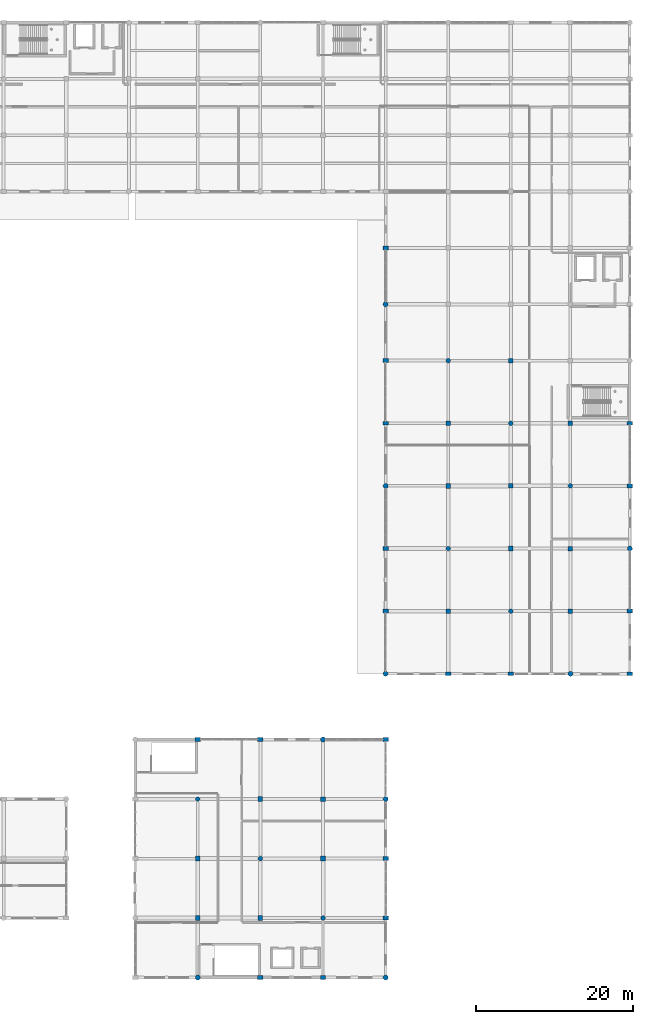
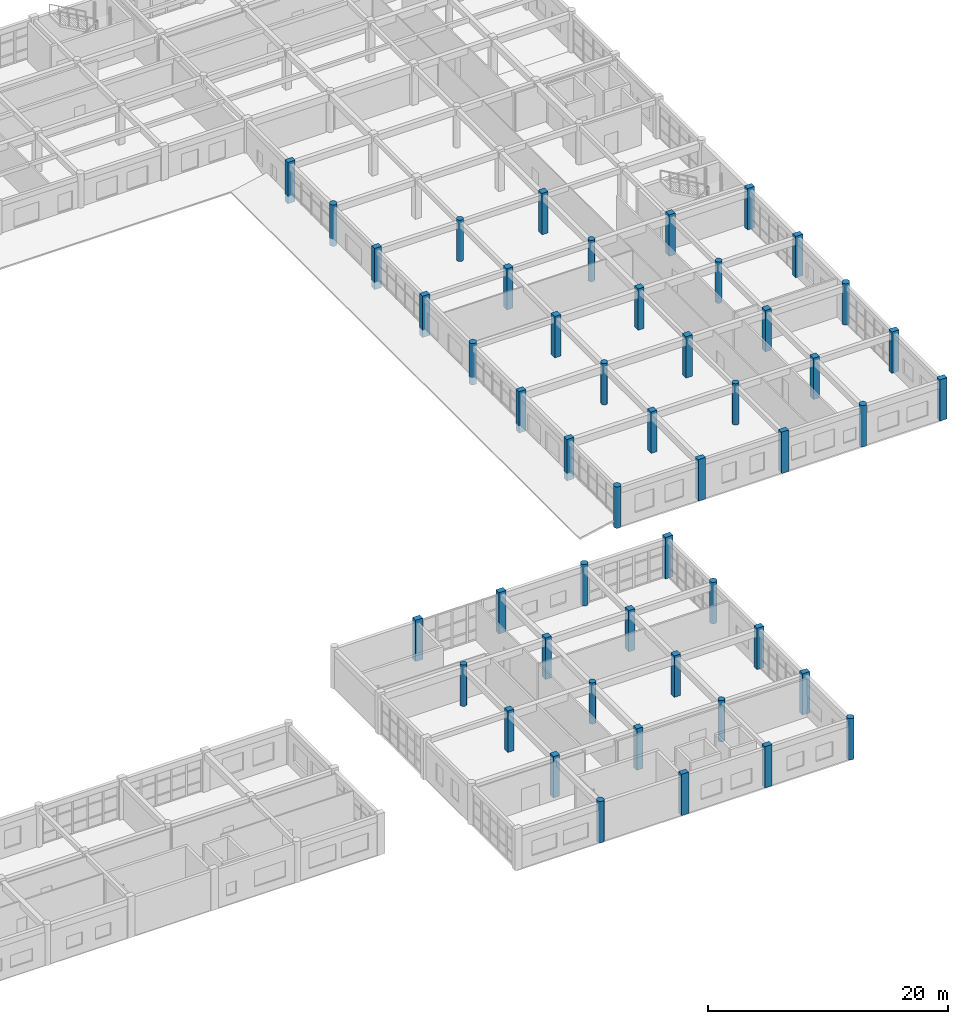
# One storey, part 5 of 121: 50 columns.
"""IFC4 building model written with IfcOpenShell, lengths in metres."""

from ifc_helpers import new_model, si_unit, direction, frame, origin, origin_2d, place, context, subcontext, project, spatial, rectangle, circle, extrude, material, material_profile, profile_set, type_object, element, save


model = new_model("IFC4")

# Units and contexts
model_context = context("Model", 3, precision=1e-05, world=origin(), true_north=direction((0.0, 1.0)))
body_context = subcontext(model_context, "Body", "Model", "MODEL_VIEW")
ifc_project = project(units=[si_unit("LENGTHUNIT", "METRE"), si_unit("AREAUNIT", "SQUARE_METRE"), si_unit("VOLUMEUNIT", "CUBIC_METRE"), si_unit("PLANEANGLEUNIT", "RADIAN"), si_unit("MASSUNIT", "GRAM", prefix="KILO")], contexts=[model_context])

# Site, building, storey
site_placement = place(None, origin())
site = spatial("IfcSite", under=ifc_project, at=site_placement, CompositionType="ELEMENT")
building_placement = place(site_placement, origin())
building = spatial("IfcBuilding", under=site, at=building_placement, Name="Kharva Crest Polytechnic", CompositionType="ELEMENT")
storey_placement = place(building_placement, frame((0.0, 0.0, 13.199951171875)))
storey = spatial("IfcBuildingStorey", under=building, at=storey_placement, Name="L03", CompositionType="ELEMENT", Elevation=13.199951171875)

# Columns
ifc_material = material(Name="Concrete C40/50", Category="concrete")
ifc_material_profile_1 = material_profile(ifc_material, rectangle(XDim=0.679931640625, YDim=0.5, at=origin_2d()), Name="RECT 680 X 500")
ifc_profile_set_1 = profile_set([ifc_material_profile_1], Name="Concrete C40/50")
column_type_1 = type_object("IfcColumnType", Name="COL-EXT-680X500", PredefinedType="COLUMN", material=ifc_profile_set_1)
for number, where, z_axis, x_axis, name in (
    (1, (136.800048828125, 30.39990234375, 0.0), (0.0, 0.0, 1.0), (1.0, 0.0, 0.0), "L03 Column 18/E"),
    (2, (144.800048828125, 0.0, 0.0), (0.0, 0.0, 1.0), (1.0, 0.0, 0.0), "L03 Column 19/A"),
    (3, (152.800048828125, 15.199951171875, 0.0), (0.0, 0.0, 1.0), (1.0, 0.0, 0.0), "L03 Column 20/C"),
    (4, (152.800048828125, 54.800048828125, 0.0), (0.0, 0.0, 1.0), (1.0, 0.0, 0.0), "L03 Column 20/H"),
    (5, (152.800048828125, 78.800048828125, 0.0), (0.0, 0.0, 1.0), (1.0, 0.0, 0.0), "L03 Column 20/L"),
    (6, (168.800048828125, 38.800048828125, 0.0), (0.0, 0.0, 1.0), (1.0, 0.0, 0.0), "L03 Column 22/FJ"),
    (7, (184.0, 46.800048828125, 0.0), (0.0, 0.0, 1.0), (1.0, 0.0, 0.0), "L03 Column 24/G"),
    (8, (184.0, 70.800048828125, 0.0), (0.0, 0.0, 1.0), (1.0, 0.0, 0.0), "L03 Column 24/K"),
):
    element("IfcColumn", number, at=place(storey_placement, frame(where, z_axis=z_axis, x_axis=x_axis)), inside=storey, type_object=column_type_1, Name=name, PredefinedType="COLUMN", context=body_context, shape_type="SweptSolid", body=[
        extrude(rectangle(XDim=0.679931640625, YDim=0.5, at=origin_2d()), origin(), (0.0, 0.0, 1.0), 4.199951171875),
    ])
ifc_material_profile_2 = material_profile(ifc_material, rectangle(XDim=0.699951171875, YDim=0.5, at=origin_2d()), Name="RECT 700 X 500")
ifc_profile_set_2 = profile_set([ifc_material_profile_2], Name="Concrete C40/50")
column_type_2 = type_object("IfcColumnType", Name="COL-EXT-700X500", PredefinedType="COLUMN", material=ifc_profile_set_2)
for number, where, z_axis, x_axis, name in (
    (9, (128.800048828125, 30.39990234375, 0.0), (0.0, 0.0, 1.0), (1.0, 0.0, 0.0), "L03 Column 17/E"),
    (10, (136.800048828125, 0.0, 0.0), (0.0, 0.0, 1.0), (1.0, 0.0, 0.0), "L03 Column 18/A"),
    (11, (152.800048828125, 7.60009765625, 0.0), (0.0, 0.0, 1.0), (1.0, 0.0, 0.0), "L03 Column 20/B"),
    (12, (152.800048828125, 30.39990234375, 0.0), (0.0, 0.0, 1.0), (1.0, 0.0, 0.0), "L03 Column 20/E"),
    (13, (152.800048828125, 46.800048828125, 0.0), (0.0, 0.0, 1.0), (1.0, 0.0, 0.0), "L03 Column 20/G"),
    (14, (152.800048828125, 70.800048828125, 0.0), (0.0, 0.0, 1.0), (1.0, 0.0, 0.0), "L03 Column 20/K"),
    (15, (152.800048828125, 93.199951171875, 0.0), (0.0, 0.0, 1.0), (1.0, 0.0, 0.0), "L03 Column 20/N"),
    (16, (160.800048828125, 38.800048828125, 0.0), (0.0, 0.0, 1.0), (1.0, 0.0, 0.0), "L03 Column 21/FJ"),
    (17, (184.0, 38.800048828125, 0.0), (0.0, 0.0, 1.0), (1.0, 0.0, 0.0), "L03 Column 24/FJ"),
    (18, (184.0, 62.800048828125, 0.0), (0.0, 0.0, 1.0), (1.0, 0.0, 0.0), "L03 Column 24/J"),
):
    element("IfcColumn", number, at=place(storey_placement, frame(where, z_axis=z_axis, x_axis=x_axis)), inside=storey, type_object=column_type_2, Name=name, PredefinedType="COLUMN", context=body_context, shape_type="SweptSolid", body=[
        extrude(rectangle(XDim=0.699951171875, YDim=0.5, at=origin_2d()), origin(), (0.0, 0.0, 1.0), 4.199951171875),
    ])
ifc_material_profile_3 = material_profile(ifc_material, circle(Radius=0.320068359375, at=origin_2d()), Name="DIA 640")
ifc_profile_set_3 = profile_set([ifc_material_profile_3], Name="Concrete C40/50")
column_type_3 = type_object("IfcColumnType", Name="COL-EXT-DIA640", PredefinedType="COLUMN", material=ifc_profile_set_3)
for number, where, z_axis, x_axis, name in (
    (19, (128.800048828125, 0.0, 0.0), (0.0, 0.0, 1.0), (1.0, 0.0, 0.0), "L03 Column 17/A"),
    (20, (144.800048828125, 30.39990234375, 0.0), (0.0, 0.0, 1.0), (1.0, 0.0, 0.0), "L03 Column 19/E"),
    (21, (152.800048828125, 0.0, 0.0), (0.0, 0.0, 1.0), (1.0, 0.0, 0.0), "L03 Column 20/A"),
    (22, (152.800048828125, 22.800048828125, 0.0), (0.0, 0.0, 1.0), (1.0, 0.0, 0.0), "L03 Column 20/D"),
    (23, (152.800048828125, 38.800048828125, 0.0), (0.0, 0.0, 1.0), (1.0, 0.0, 0.0), "L03 Column 20/FJ"),
    (24, (152.800048828125, 62.800048828125, 0.0), (0.0, 0.0, 1.0), (1.0, 0.0, 0.0), "L03 Column 20/J"),
    (25, (152.800048828125, 86.0, 0.0), (0.0, 0.0, 1.0), (1.0, 0.0, 0.0), "L03 Column 20/M"),
    (26, (176.39990234375, 38.800048828125, 0.0), (0.0, 0.0, 1.0), (1.0, 0.0, 0.0), "L03 Column 23/FJ"),
    (27, (184.0, 54.800048828125, 0.0), (0.0, 0.0, 1.0), (1.0, 0.0, 0.0), "L03 Column 24/H"),
):
    element("IfcColumn", number, at=place(storey_placement, frame(where, z_axis=z_axis, x_axis=x_axis)), inside=storey, type_object=column_type_3, Name=name, PredefinedType="COLUMN", context=body_context, shape_type="SweptSolid", body=[
        extrude(circle(Radius=0.320068359375, at=origin_2d()), origin(), (0.0, 0.0, 1.0), 4.199951171875),
    ])
ifc_material_profile_4 = material_profile(ifc_material, rectangle(XDim=0.580078125, YDim=0.580078125, at=origin_2d()), Name="RECT 580 X 580")
ifc_profile_set_4 = profile_set([ifc_material_profile_4], Name="Concrete C40/50")
column_type_4 = type_object("IfcColumnType", Name="COL-INT-580X580", PredefinedType="COLUMN", material=ifc_profile_set_4)
for number, where, z_axis, x_axis, name in (
    (28, (128.800048828125, 15.199951171875, 0.0), (0.0, 0.0, 1.0), (1.0, 0.0, 0.0), "L03 Column 17/C"),
    (29, (136.800048828125, 7.60009765625, 0.0), (0.0, 0.0, 1.0), (1.0, 0.0, 0.0), "L03 Column 18/B"),
    (30, (144.800048828125, 22.800048828125, 0.0), (0.0, 0.0, 1.0), (1.0, 0.0, 0.0), "L03 Column 19/D"),
    (31, (160.800048828125, 46.800048828125, 0.0), (0.0, 0.0, 1.0), (1.0, 0.0, 0.0), "L03 Column 21/G"),
    (32, (160.800048828125, 70.800048828125, 0.0), (0.0, 0.0, 1.0), (1.0, 0.0, 0.0), "L03 Column 21/K"),
    (33, (168.800048828125, 62.800048828125, 0.0), (0.0, 0.0, 1.0), (1.0, 0.0, 0.0), "L03 Column 22/J"),
    (34, (176.39990234375, 54.800048828125, 0.0), (0.0, 0.0, 1.0), (1.0, 0.0, 0.0), "L03 Column 23/H"),
):
    element("IfcColumn", number, at=place(storey_placement, frame(where, z_axis=z_axis, x_axis=x_axis)), inside=storey, type_object=column_type_4, Name=name, PredefinedType="COLUMN", context=body_context, shape_type="SweptSolid", body=[
        extrude(rectangle(XDim=0.580078125, YDim=0.580078125, at=origin_2d()), origin(), (0.0, 0.0, 1.0), 4.199951171875),
    ])
ifc_material_profile_5 = material_profile(ifc_material, rectangle(XDim=0.60009765625, YDim=0.60009765625, at=origin_2d()), Name="RECT 600 X 600")
ifc_profile_set_5 = profile_set([ifc_material_profile_5], Name="Concrete C40/50")
column_type_5 = type_object("IfcColumnType", Name="COL-INT-600X600", PredefinedType="COLUMN", material=ifc_profile_set_5)
for number, where, z_axis, x_axis, name in (
    (35, (128.800048828125, 7.60009765625, 0.0), (0.0, 0.0, 1.0), (1.0, 0.0, 0.0), "L03 Column 17/B"),
    (36, (136.800048828125, 22.800048828125, 0.0), (0.0, 0.0, 1.0), (1.0, 0.0, 0.0), "L03 Column 18/D"),
    (37, (144.800048828125, 15.199951171875, 0.0), (0.0, 0.0, 1.0), (1.0, 0.0, 0.0), "L03 Column 19/C"),
    (38, (160.800048828125, 62.800048828125, 0.0), (0.0, 0.0, 1.0), (1.0, 0.0, 0.0), "L03 Column 21/J"),
    (39, (168.800048828125, 54.800048828125, 0.0), (0.0, 0.0, 1.0), (1.0, 0.0, 0.0), "L03 Column 22/H"),
    (40, (168.800048828125, 78.800048828125, 0.0), (0.0, 0.0, 1.0), (1.0, 0.0, 0.0), "L03 Column 22/L"),
    (41, (176.39990234375, 46.800048828125, 0.0), (0.0, 0.0, 1.0), (1.0, 0.0, 0.0), "L03 Column 23/G"),
    (42, (176.39990234375, 70.800048828125, 0.0), (0.0, 0.0, 1.0), (1.0, 0.0, 0.0), "L03 Column 23/K"),
):
    element("IfcColumn", number, at=place(storey_placement, frame(where, z_axis=z_axis, x_axis=x_axis)), inside=storey, type_object=column_type_5, Name=name, PredefinedType="COLUMN", context=body_context, shape_type="SweptSolid", body=[
        extrude(rectangle(XDim=0.60009765625, YDim=0.60009765625, at=origin_2d()), origin(), (0.0, 0.0, 1.0), 4.199951171875),
    ])
ifc_material_profile_6 = material_profile(ifc_material, circle(Radius=0.2900390625, at=origin_2d()), Name="DIA 580")
ifc_profile_set_6 = profile_set([ifc_material_profile_6], Name="Concrete C40/50")
column_type_6 = type_object("IfcColumnType", Name="COL-INT-DIA580", PredefinedType="COLUMN", material=ifc_profile_set_6)
for number, where, z_axis, x_axis, name in (
    (43, (128.800048828125, 22.800048828125, 0.0), (0.0, 0.0, 1.0), (1.0, 0.0, 0.0), "L03 Column 17/D"),
    (44, (136.800048828125, 15.199951171875, 0.0), (0.0, 0.0, 1.0), (1.0, 0.0, 0.0), "L03 Column 18/C"),
    (45, (144.800048828125, 7.60009765625, 0.0), (0.0, 0.0, 1.0), (1.0, 0.0, 0.0), "L03 Column 19/B"),
    (46, (160.800048828125, 54.800048828125, 0.0), (0.0, 0.0, 1.0), (1.0, 0.0, 0.0), "L03 Column 21/H"),
    (47, (160.800048828125, 78.800048828125, 0.0), (0.0, 0.0, 1.0), (1.0, 0.0, 0.0), "L03 Column 21/L"),
    (48, (168.800048828125, 46.800048828125, 0.0), (0.0, 0.0, 1.0), (1.0, 0.0, 0.0), "L03 Column 22/G"),
    (49, (168.800048828125, 70.800048828125, 0.0), (0.0, 0.0, 1.0), (1.0, 0.0, 0.0), "L03 Column 22/K"),
    (50, (176.39990234375, 62.800048828125, 0.0), (0.0, 0.0, 1.0), (1.0, 0.0, 0.0), "L03 Column 23/J"),
):
    element("IfcColumn", number, at=place(storey_placement, frame(where, z_axis=z_axis, x_axis=x_axis)), inside=storey, type_object=column_type_6, Name=name, PredefinedType="COLUMN", context=body_context, shape_type="SweptSolid", body=[
        extrude(circle(Radius=0.2900390625, at=origin_2d()), origin(), (0.0, 0.0, 1.0), 4.199951171875),
    ])

save(model, "model.ifc")
